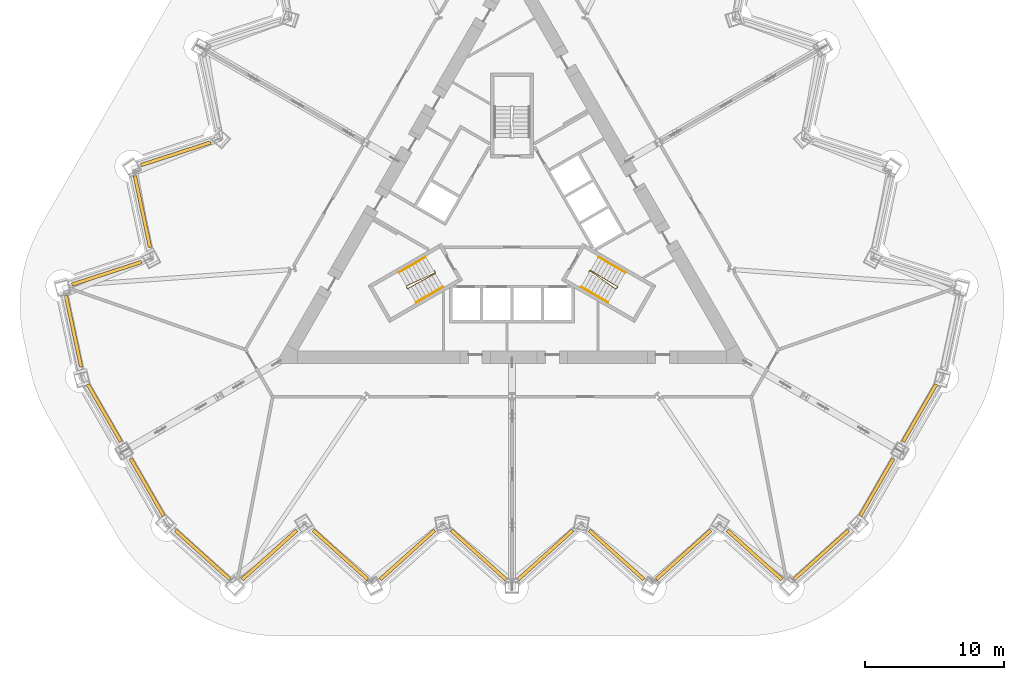
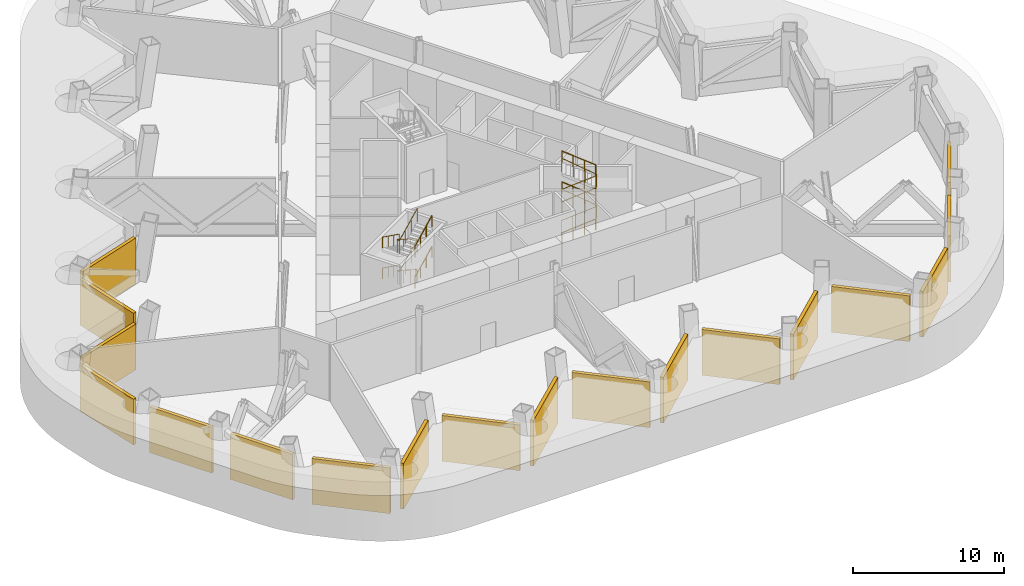
# One storey, part 13 of 14: 18 shading devices, 10 railings.
"""IFC4 building model written with IfcOpenShell, lengths in metres."""

from ifc_helpers import new_model, si_unit, direction, frame, origin, origin_2d, place, context, subcontext, project, spatial, rectangle, circle, extrude, material, layer, layer_set, type_object, element, save


model = new_model("IFC4")

# Units and contexts
model_context = context("Model", 3, precision=1e-05, world=origin(), true_north=direction((0.0, 1.0)))
body_context = subcontext(model_context, "Body", "Model", "MODEL_VIEW")
ifc_project = project(units=[si_unit("LENGTHUNIT", "METRE"), si_unit("AREAUNIT", "SQUARE_METRE"), si_unit("VOLUMEUNIT", "CUBIC_METRE"), si_unit("PLANEANGLEUNIT", "RADIAN"), si_unit("MASSUNIT", "GRAM", prefix="KILO")], contexts=[model_context])

# Site, building, storey
site_placement = place(None, origin())
site = spatial("IfcSite", under=ifc_project, at=site_placement, CompositionType="ELEMENT")
building_placement = place(site_placement, origin())
building = spatial("IfcBuilding", under=site, at=building_placement, Name="Cormorant Prow Tower", CompositionType="ELEMENT")
storey_placement = place(building_placement, frame((0.0, 0.0, 94.60009765625)))
storey = spatial("IfcBuildingStorey", under=building, at=storey_placement, Name="L19", CompositionType="ELEMENT", Elevation=94.60009765625)

# Shading devices
ifc_material_1 = material(Name="Aluminium 6063-T6", Category="aluminium")
ifc_layer_1 = layer(ifc_material_1, 0.25)
ifc_layer_set_1 = layer_set([ifc_layer_1], Name="Aluminium 6063-T6")
shading_device_type_1 = type_object("IfcShadingDeviceType", Name="Plant storey louvre panel 4764x250x3700", PredefinedType="USERDEFINED", material=ifc_layer_set_1)
for number, where, z_axis, x_axis, name in (
    (1, (26.264404296875, -18.725830078125, 0.0), (0.0, 0.0, 1.0), (0.499999898986, 0.866025462105, 0.0), "Plant storey louvre ESE00"),
    (2, (29.349365234375, -13.3828125, 0.0), (0.0, 0.0, 1.0), (0.500000020541, 0.866025391925, 0.0), "Plant storey louvre ESE01"),
    (3, (-29.349365234375, -13.3828125, 0.0), (0.0, 0.0, 1.0), (0.500000020541, -0.866025391925, 0.0), "Plant storey louvre WSW00"),
    (4, (-26.264404296875, -18.725830078125, 0.0), (0.0, 0.0, 1.0), (0.499999898986, -0.866025462105, 0.0), "Plant storey louvre WSW01"),
):
    element("IfcShadingDevice", number, at=place(storey_placement, frame(where, z_axis=z_axis, x_axis=x_axis)), inside=storey, type_object=shading_device_type_1, Name=name, ObjectType="LOUVRE", PredefinedType="USERDEFINED", context=body_context, shape_type="SweptSolid", body=[
        extrude(rectangle(XDim=4.763671875, YDim=0.25, at=origin_2d()), origin(), (0.0, 0.0, 1.0), 3.699951171875),
    ])
ifc_material_2 = material(Name="Aluminium 6063-T6", Category="aluminium")
ifc_layer_2 = layer(ifc_material_2, 0.25)
ifc_layer_set_2 = layer_set([ifc_layer_2], Name="Aluminium 6063-T6")
shading_device_type_2 = type_object("IfcShadingDeviceType", Name="Plant storey louvre panel 5277x250x3700", PredefinedType="USERDEFINED", material=ifc_layer_set_2)
for number, where, z_axis, x_axis, name in (
    (5, (-22.263671875, -23.602783203125, 0.0), (0.0, 0.0, 1.0), (0.743144871012, -0.669130555788, 0.0), "Plant storey louvre S00"),
    (6, (-17.46484375, -23.602783203125, 0.0), (0.0, 0.0, 1.0), (0.743144804001, 0.669130630211, 0.0), "Plant storey louvre S01"),
    (7, (-12.33154296875, -23.602783203125, 0.0), (0.0, 0.0, 1.0), (0.743144804001, -0.669130630211, 0.0), "Plant storey louvre S02"),
    (8, (-7.53271484375, -23.602783203125, 0.0), (0.0, 0.0, 1.0), (0.743144804001, 0.669130630211, 0.0), "Plant storey louvre S03"),
    (9, (-2.3994140625, -23.602783203125, 0.0), (0.0, 0.0, 1.0), (0.743144804001, -0.669130630211, 0.0), "Plant storey louvre S04"),
    (10, (2.3994140625, -23.602783203125, 0.0), (0.0, 0.0, 1.0), (0.743144804001, 0.669130630211, 0.0), "Plant storey louvre S05"),
    (11, (7.53271484375, -23.602783203125, 0.0), (0.0, 0.0, 1.0), (0.743144804001, -0.669130630211, 0.0), "Plant storey louvre S06"),
    (12, (12.33154296875, -23.602783203125, 0.0), (0.0, 0.0, 1.0), (0.743144804001, 0.669130630211, 0.0), "Plant storey louvre S07"),
    (13, (17.46484375, -23.602783203125, 0.0), (0.0, 0.0, 1.0), (0.743144804001, -0.669130630211, 0.0), "Plant storey louvre S08"),
    (14, (22.263671875, -23.602783203125, 0.0), (0.0, 0.0, 1.0), (0.743144871012, 0.669130555788, 0.0), "Plant storey louvre S09"),
    (15, (-24.20703125, 5.27783203125, 0.0), (0.0, 0.0, 1.0), (-0.951056529897, -0.309016952512, 0.0), "Plant storey louvre WNW06"),
    (16, (-26.6064453125, 1.1220703125, 0.0), (0.0, 0.0, 1.0), (0.207911740719, -0.978147590127, 0.0), "Plant storey louvre WNW07"),
    (17, (-29.173095703125, -3.32373046875, 0.0), (0.0, 0.0, 1.0), (-0.951056529897, -0.309016952512, 0.0), "Plant storey louvre WNW08"),
    (18, (-31.572509765625, -7.4794921875, 0.0), (0.0, 0.0, 1.0), (0.207911740719, -0.978147590127, 0.0), "Plant storey louvre WNW09"),
):
    element("IfcShadingDevice", number, at=place(storey_placement, frame(where, z_axis=z_axis, x_axis=x_axis)), inside=storey, type_object=shading_device_type_2, Name=name, ObjectType="LOUVRE", PredefinedType="USERDEFINED", context=body_context, shape_type="SweptSolid", body=[
        extrude(rectangle(XDim=5.276611328125, YDim=0.25, at=origin_2d()), origin(), (0.0, 0.0, 1.0), 3.699951171875),
    ])

# Railings
ifc_material_3 = material(Name="Stainless steel", Category="steel")
railing_type_1 = type_object("IfcRailingType", Name="Stair guard 1100", PredefinedType="GUARDRAIL", material=ifc_material_3)
railing_1_placement = place(storey_placement, frame((-5.585205078125, -3.137939453125, 0.0)))
element("IfcRailing", 19, at=railing_1_placement, inside=storey, type_object=railing_type_1, Name="L19 ST1 stair guard 1", PredefinedType="GUARDRAIL", context=body_context, shape_type="SweptSolid", body=[
    extrude(circle(Radius=0.02392578125, at=origin_2d()), frame((0.0, 0.0, 1.076171875), z_axis=(0.501036270542, -0.865426285481, 0.0), x_axis=(0.865426285481, 0.501036270542, 0.0)), (0.0, 0.0, 1.0), 0.150146484375),
    extrude(circle(Radius=0.02392578125, at=origin_2d()), frame((0.0751953125, -0.1298828125, 1.076171875), z_axis=(-0.796139674623, -0.37143232681, 0.477702465026), x_axis=(0.422792438952, -0.906226546491, 0.0)), (0.0, 0.0, 1.0), 2.61669921875),
    extrude(circle(Radius=0.02392578125, at=origin_2d()), frame((-2.008056640625, -1.101806640625, 2.326171875), z_axis=(0.275034262293, -0.961434425515, 0.0), x_axis=(0.961434425515, 0.275034262293, 0.0)), (0.0, 0.0, 1.0), 0.2060546875),
    extrude(circle(Radius=0.02392578125, at=origin_2d()), frame((-1.951416015625, -1.2998046875, 2.326171875), z_axis=(0.76962706216, 0.422144092447, 0.479028757386), x_axis=(-0.480911908544, 0.87676891837, 0.0)), (0.0, 0.0, 1.0), 2.609375),
    extrude(circle(Radius=0.02392578125, at=origin_2d()), frame((0.056884765625, -0.1982421875, 3.576171875), z_axis=(0.258736085224, 0.965948051503, 0.0), x_axis=(-0.965948051503, 0.258736085224, 0.0)), (0.0, 0.0, 1.0), 0.07080078125),
    extrude(circle(Radius=0.02392578125, at=origin_2d()), frame((0.0751953125, -0.1298828125, 3.576171875), z_axis=(-0.796139674623, -0.37143232681, 0.477702465026), x_axis=(0.422792438952, -0.906226546491, 0.0)), (0.0, 0.0, 1.0), 2.61669921875),
    extrude(circle(Radius=0.02392578125, at=origin_2d()), frame((-2.008056640625, -1.101806640625, 4.826171875), z_axis=(0.275034262293, -0.961434425515, 0.0), x_axis=(0.961434425515, 0.275034262293, 0.0)), (0.0, 0.0, 1.0), 0.2060546875),
    extrude(circle(Radius=0.02392578125, at=origin_2d()), frame((-1.951416015625, -1.2998046875, 4.826171875), z_axis=(0.76962706216, 0.422144092447, 0.479028757386), x_axis=(-0.480911908544, 0.87676891837, 0.0)), (0.0, 0.0, 1.0), 2.609375),
    extrude(circle(Radius=0.02099609375, at=origin_2d()), origin(), (0.0, 0.0, 1.0), 1.052001953125),
    extrude(circle(Radius=0.02099609375, at=origin_2d()), frame((0.0751953125, -0.1298828125, 0.0)), (0.0, 0.0, 1.0), 1.052001953125),
    extrude(circle(Radius=0.02099609375, at=origin_2d()), frame((-0.619140625, -0.453857421875, 0.416748046875)), (0.0, 0.0, 1.0), 1.052001953125),
    extrude(circle(Radius=0.02099609375, at=origin_2d()), frame((-1.313720703125, -0.77783203125, 0.833251953125)), (0.0, 0.0, 1.0), 1.052001953125),
    extrude(circle(Radius=0.02099609375, at=origin_2d()), frame((-2.008056640625, -1.101806640625, 1.25)), (0.0, 0.0, 1.0), 1.052001953125),
    extrude(circle(Radius=0.02099609375, at=origin_2d()), frame((-1.951416015625, -1.2998046875, 1.25)), (0.0, 0.0, 1.0), 1.052001953125),
    extrude(circle(Radius=0.02099609375, at=origin_2d()), frame((-1.281982421875, -0.9326171875, 1.666748046875)), (0.0, 0.0, 1.0), 1.052001953125),
    extrude(circle(Radius=0.02099609375, at=origin_2d()), frame((-0.612548828125, -0.5654296875, 2.083251953125)), (0.0, 0.0, 1.0), 1.052001953125),
    extrude(circle(Radius=0.02099609375, at=origin_2d()), frame((0.056884765625, -0.1982421875, 2.5)), (0.0, 0.0, 1.0), 1.052001953125),
    extrude(circle(Radius=0.02099609375, at=origin_2d()), frame((0.0751953125, -0.1298828125, 2.5)), (0.0, 0.0, 1.0), 1.052001953125),
    extrude(circle(Radius=0.02099609375, at=origin_2d()), frame((-0.619140625, -0.453857421875, 2.916748046875)), (0.0, 0.0, 1.0), 1.052001953125),
    extrude(circle(Radius=0.02099609375, at=origin_2d()), frame((-1.313720703125, -0.77783203125, 3.333251953125)), (0.0, 0.0, 1.0), 1.052001953125),
    extrude(circle(Radius=0.02099609375, at=origin_2d()), frame((-2.008056640625, -1.101806640625, 3.75)), (0.0, 0.0, 1.0), 1.052001953125),
    extrude(circle(Radius=0.02099609375, at=origin_2d()), frame((-1.951416015625, -1.2998046875, 3.75)), (0.0, 0.0, 1.0), 1.052001953125),
    extrude(circle(Radius=0.02099609375, at=origin_2d()), frame((-1.281982421875, -0.9326171875, 4.166748046875)), (0.0, 0.0, 1.0), 1.052001953125),
    extrude(circle(Radius=0.02099609375, at=origin_2d()), frame((-0.612548828125, -0.5654296875, 4.583251953125)), (0.0, 0.0, 1.0), 1.052001953125),
    extrude(circle(Radius=0.02099609375, at=origin_2d()), frame((0.056884765625, -0.1982421875, 5.0)), (0.0, 0.0, 1.0), 1.052001953125),
])
railing_2_placement = place(storey_placement, frame((5.510009765625, -3.267822265625, 0.0)))
element("IfcRailing", 20, at=railing_2_placement, inside=storey, type_object=railing_type_1, Name="L19 ST2 stair guard 1", PredefinedType="GUARDRAIL", context=body_context, shape_type="SweptSolid", body=[
    extrude(circle(Radius=0.02392578125, at=origin_2d()), frame((0.0, 0.0, 1.076171875), z_axis=(0.501036270542, 0.865426285481, 0.0), x_axis=(-0.865426285481, 0.501036270542, 0.0)), (0.0, 0.0, 1.0), 0.150146484375),
    extrude(circle(Radius=0.02392578125, at=origin_2d()), frame((0.0751953125, 0.1298828125, 1.076171875), z_axis=(0.719698049427, -0.503779303625, 0.477745885267), x_axis=(0.573455215813, 0.819236910458, 0.0)), (0.0, 0.0, 1.0), 2.616455078125),
    extrude(circle(Radius=0.02392578125, at=origin_2d()), frame((1.958251953125, -1.188232421875, 2.326171875), z_axis=(0.695164929852, 0.718850276695, 0.0), x_axis=(-0.718850276695, 0.695164929852, 0.0)), (0.0, 0.0, 1.0), 0.2060546875),
    extrude(circle(Radius=0.02392578125, at=origin_2d()), frame((2.1015625, -1.0400390625, 2.326171875), z_axis=(-0.750450779969, 0.45536017281, 0.479031042693), x_axis=(-0.518752825935, -0.854924268918, 0.0)), (0.0, 0.0, 1.0), 2.609375),
    extrude(circle(Radius=0.02392578125, at=origin_2d()), frame((0.143310546875, 0.148193359375, 3.576171875), z_axis=(-0.965715946433, -0.259601060869, 0.0), x_axis=(0.259601060869, -0.965715946433, 0.0)), (0.0, 0.0, 1.0), 0.070556640625),
    extrude(circle(Radius=0.02392578125, at=origin_2d()), frame((0.0751953125, 0.1298828125, 3.576171875), z_axis=(0.719698049427, -0.503779303625, 0.477745885267), x_axis=(0.573455215813, 0.819236910458, 0.0)), (0.0, 0.0, 1.0), 2.616455078125),
    extrude(circle(Radius=0.02392578125, at=origin_2d()), frame((1.958251953125, -1.188232421875, 4.826171875), z_axis=(0.695164929852, 0.718850276695, 0.0), x_axis=(-0.718850276695, 0.695164929852, 0.0)), (0.0, 0.0, 1.0), 0.2060546875),
    extrude(circle(Radius=0.02392578125, at=origin_2d()), frame((2.1015625, -1.0400390625, 4.826171875), z_axis=(-0.750450779969, 0.45536017281, 0.479031042693), x_axis=(-0.518752825935, -0.854924268918, 0.0)), (0.0, 0.0, 1.0), 2.609375),
    extrude(circle(Radius=0.02099609375, at=origin_2d()), origin(), (0.0, 0.0, 1.0), 1.052001953125),
    extrude(circle(Radius=0.02099609375, at=origin_2d()), frame((0.0751953125, 0.1298828125, 0.0)), (0.0, 0.0, 1.0), 1.052001953125),
    extrude(circle(Radius=0.02099609375, at=origin_2d()), frame((0.702880859375, -0.3095703125, 0.416748046875)), (0.0, 0.0, 1.0), 1.052001953125),
    extrude(circle(Radius=0.02099609375, at=origin_2d()), frame((1.33056640625, -0.748779296875, 0.833251953125)), (0.0, 0.0, 1.0), 1.052001953125),
    extrude(circle(Radius=0.02099609375, at=origin_2d()), frame((1.958251953125, -1.188232421875, 1.25)), (0.0, 0.0, 1.0), 1.052001953125),
    extrude(circle(Radius=0.02099609375, at=origin_2d()), frame((2.1015625, -1.0400390625, 1.25)), (0.0, 0.0, 1.0), 1.052001953125),
    extrude(circle(Radius=0.02099609375, at=origin_2d()), frame((1.44873046875, -0.64404296875, 1.666748046875)), (0.0, 0.0, 1.0), 1.052001953125),
    extrude(circle(Radius=0.02099609375, at=origin_2d()), frame((0.796142578125, -0.247802734375, 2.083251953125)), (0.0, 0.0, 1.0), 1.052001953125),
    extrude(circle(Radius=0.02099609375, at=origin_2d()), frame((0.143310546875, 0.148193359375, 2.5)), (0.0, 0.0, 1.0), 1.052001953125),
    extrude(circle(Radius=0.02099609375, at=origin_2d()), frame((0.0751953125, 0.1298828125, 2.5)), (0.0, 0.0, 1.0), 1.052001953125),
    extrude(circle(Radius=0.02099609375, at=origin_2d()), frame((0.702880859375, -0.3095703125, 2.916748046875)), (0.0, 0.0, 1.0), 1.052001953125),
    extrude(circle(Radius=0.02099609375, at=origin_2d()), frame((1.33056640625, -0.748779296875, 3.333251953125)), (0.0, 0.0, 1.0), 1.052001953125),
    extrude(circle(Radius=0.02099609375, at=origin_2d()), frame((1.958251953125, -1.188232421875, 3.75)), (0.0, 0.0, 1.0), 1.052001953125),
    extrude(circle(Radius=0.02099609375, at=origin_2d()), frame((2.1015625, -1.0400390625, 3.75)), (0.0, 0.0, 1.0), 1.052001953125),
    extrude(circle(Radius=0.02099609375, at=origin_2d()), frame((1.44873046875, -0.64404296875, 4.166748046875)), (0.0, 0.0, 1.0), 1.052001953125),
    extrude(circle(Radius=0.02099609375, at=origin_2d()), frame((0.796142578125, -0.247802734375, 4.583251953125)), (0.0, 0.0, 1.0), 1.052001953125),
    extrude(circle(Radius=0.02099609375, at=origin_2d()), frame((0.143310546875, 0.148193359375, 5.0)), (0.0, 0.0, 1.0), 1.052001953125),
])
ifc_material_4 = material(Name="Stainless steel", Category="steel")
railing_type_2 = type_object("IfcRailingType", Name="Stair handrail 900", PredefinedType="HANDRAIL", material=ifc_material_4)
railing_3_placement = place(storey_placement, frame((-6.212890625, -2.150634765625, 0.138671875)))
element("IfcRailing", 21, at=railing_3_placement, inside=storey, type_object=railing_type_2, Name="L19 ST1 stair handrail 1", PredefinedType="HANDRAIL", context=body_context, shape_type="SweptSolid", body=[
    extrude(circle(Radius=0.02392578125, at=origin_2d()), frame((0.0, 0.0, 0.8759765625), z_axis=(-0.77581902503, -0.447858276845, 0.444441002005), x_axis=(0.49994888933, -0.866054910533, 0.0)), (0.0, 0.0, 1.0), 2.50048828125),
    extrude(circle(Radius=0.02099609375, at=origin_2d()), origin(), (0.0, 0.0, 1.0), 0.851806640625),
    extrude(circle(Radius=0.02099609375, at=origin_2d()), frame((-0.646728515625, -0.373291015625, 0.370361328125)), (0.0, 0.0, 1.0), 0.851806640625),
    extrude(circle(Radius=0.02099609375, at=origin_2d()), frame((-1.293212890625, -0.74658203125, 0.740966796875)), (0.0, 0.0, 1.0), 0.851806640625),
    extrude(circle(Radius=0.02099609375, at=origin_2d()), frame((-1.93994140625, -1.119873046875, 1.111328125)), (0.0, 0.0, 1.0), 0.851806640625),
])
railing_4_placement = place(storey_placement, frame((-6.90869140625, -5.42529296875, 1.388671875)))
element("IfcRailing", 22, at=railing_4_placement, inside=storey, type_object=railing_type_2, Name="L19 ST1 stair handrail 2", PredefinedType="HANDRAIL", context=body_context, shape_type="SweptSolid", body=[
    extrude(circle(Radius=0.02392578125, at=origin_2d()), frame((0.0, 0.0, 0.8759765625), z_axis=(0.775746221712, 0.447970253645, 0.444455229859), x_axis=(-0.500077830873, 0.865980463445, 0.0)), (0.0, 0.0, 1.0), 2.50048828125),
    extrude(circle(Radius=0.02099609375, at=origin_2d()), origin(), (0.0, 0.0, 1.0), 0.851806640625),
    extrude(circle(Radius=0.02099609375, at=origin_2d()), frame((0.646484375, 0.373291015625, 0.370361328125)), (0.0, 0.0, 1.0), 0.851806640625),
    extrude(circle(Radius=0.02099609375, at=origin_2d()), frame((1.293212890625, 0.746826171875, 0.740966796875)), (0.0, 0.0, 1.0), 0.851806640625),
    extrude(circle(Radius=0.02099609375, at=origin_2d()), frame((1.939697265625, 1.1201171875, 1.111328125)), (0.0, 0.0, 1.0), 0.851806640625),
])
railing_5_placement = place(storey_placement, frame((-6.212890625, -2.150634765625, 2.638671875)))
element("IfcRailing", 23, at=railing_5_placement, inside=storey, type_object=railing_type_2, Name="L19 ST1 stair handrail 3", PredefinedType="HANDRAIL", context=body_context, shape_type="SweptSolid", body=[
    extrude(circle(Radius=0.02392578125, at=origin_2d()), frame((0.0, 0.0, 0.8759765625), z_axis=(-0.77581902503, -0.447858276845, 0.444441002005), x_axis=(0.49994888933, -0.866054910533, 0.0)), (0.0, 0.0, 1.0), 2.50048828125),
    extrude(circle(Radius=0.02099609375, at=origin_2d()), origin(), (0.0, 0.0, 1.0), 0.851806640625),
    extrude(circle(Radius=0.02099609375, at=origin_2d()), frame((-0.646728515625, -0.373291015625, 0.370361328125)), (0.0, 0.0, 1.0), 0.851806640625),
    extrude(circle(Radius=0.02099609375, at=origin_2d()), frame((-1.293212890625, -0.74658203125, 0.740966796875)), (0.0, 0.0, 1.0), 0.851806640625),
    extrude(circle(Radius=0.02099609375, at=origin_2d()), frame((-1.93994140625, -1.119873046875, 1.111328125)), (0.0, 0.0, 1.0), 0.851806640625),
])
railing_6_placement = place(storey_placement, frame((-6.90869140625, -5.42529296875, 3.888671875)))
element("IfcRailing", 24, at=railing_6_placement, inside=storey, type_object=railing_type_2, Name="L19 ST1 stair handrail 4", PredefinedType="HANDRAIL", context=body_context, shape_type="SweptSolid", body=[
    extrude(circle(Radius=0.02392578125, at=origin_2d()), frame((0.0, 0.0, 0.8759765625), z_axis=(0.775746221712, 0.447970253645, 0.444455229859), x_axis=(-0.500077830873, 0.865980463445, 0.0)), (0.0, 0.0, 1.0), 2.50048828125),
    extrude(circle(Radius=0.02099609375, at=origin_2d()), origin(), (0.0, 0.0, 1.0), 0.851806640625),
    extrude(circle(Radius=0.02099609375, at=origin_2d()), frame((0.646484375, 0.373291015625, 0.370361328125)), (0.0, 0.0, 1.0), 0.851806640625),
    extrude(circle(Radius=0.02099609375, at=origin_2d()), frame((1.293212890625, 0.746826171875, 0.740966796875)), (0.0, 0.0, 1.0), 0.851806640625),
    extrude(circle(Radius=0.02099609375, at=origin_2d()), frame((1.939697265625, 1.1201171875, 1.111328125)), (0.0, 0.0, 1.0), 0.851806640625),
])
railing_7_placement = place(storey_placement, frame((4.968994140625, -4.30517578125, 0.138671875)))
element("IfcRailing", 25, at=railing_7_placement, inside=storey, type_object=railing_type_2, Name="L19 ST2 stair handrail 1", PredefinedType="HANDRAIL", context=body_context, shape_type="SweptSolid", body=[
    extrude(circle(Radius=0.02392578125, at=origin_2d()), frame((0.0, 0.0, 0.8759765625), z_axis=(0.775746221712, -0.447970253645, 0.444455229859), x_axis=(0.500077830873, 0.865980463445, 0.0)), (0.0, 0.0, 1.0), 2.50048828125),
    extrude(circle(Radius=0.02099609375, at=origin_2d()), origin(), (0.0, 0.0, 1.0), 0.851806640625),
    extrude(circle(Radius=0.02099609375, at=origin_2d()), frame((0.646484375, -0.373291015625, 0.370361328125)), (0.0, 0.0, 1.0), 0.851806640625),
    extrude(circle(Radius=0.02099609375, at=origin_2d()), frame((1.293212890625, -0.746826171875, 0.740966796875)), (0.0, 0.0, 1.0), 0.851806640625),
    extrude(circle(Radius=0.02099609375, at=origin_2d()), frame((1.939697265625, -1.1201171875, 1.111328125)), (0.0, 0.0, 1.0), 0.851806640625),
])
railing_8_placement = place(storey_placement, frame((8.15283203125, -3.2705078125, 1.388671875)))
element("IfcRailing", 26, at=railing_8_placement, inside=storey, type_object=railing_type_2, Name="L19 ST2 stair handrail 2", PredefinedType="HANDRAIL", context=body_context, shape_type="SweptSolid", body=[
    extrude(circle(Radius=0.02392578125, at=origin_2d()), frame((0.0, 0.0, 0.8759765625), z_axis=(-0.77581902503, 0.447858276845, 0.444441002005), x_axis=(-0.49994888933, -0.866054910533, 0.0)), (0.0, 0.0, 1.0), 2.50048828125),
    extrude(circle(Radius=0.02099609375, at=origin_2d()), origin(), (0.0, 0.0, 1.0), 0.851806640625),
    extrude(circle(Radius=0.02099609375, at=origin_2d()), frame((-0.646728515625, 0.373291015625, 0.370361328125)), (0.0, 0.0, 1.0), 0.851806640625),
    extrude(circle(Radius=0.02099609375, at=origin_2d()), frame((-1.293212890625, 0.74658203125, 0.740966796875)), (0.0, 0.0, 1.0), 0.851806640625),
    extrude(circle(Radius=0.02099609375, at=origin_2d()), frame((-1.93994140625, 1.119873046875, 1.111328125)), (0.0, 0.0, 1.0), 0.851806640625),
])
railing_9_placement = place(storey_placement, frame((4.968994140625, -4.30517578125, 2.638671875)))
element("IfcRailing", 27, at=railing_9_placement, inside=storey, type_object=railing_type_2, Name="L19 ST2 stair handrail 3", PredefinedType="HANDRAIL", context=body_context, shape_type="SweptSolid", body=[
    extrude(circle(Radius=0.02392578125, at=origin_2d()), frame((0.0, 0.0, 0.8759765625), z_axis=(0.775746221712, -0.447970253645, 0.444455229859), x_axis=(0.500077830873, 0.865980463445, 0.0)), (0.0, 0.0, 1.0), 2.50048828125),
    extrude(circle(Radius=0.02099609375, at=origin_2d()), origin(), (0.0, 0.0, 1.0), 0.851806640625),
    extrude(circle(Radius=0.02099609375, at=origin_2d()), frame((0.646484375, -0.373291015625, 0.370361328125)), (0.0, 0.0, 1.0), 0.851806640625),
    extrude(circle(Radius=0.02099609375, at=origin_2d()), frame((1.293212890625, -0.746826171875, 0.740966796875)), (0.0, 0.0, 1.0), 0.851806640625),
    extrude(circle(Radius=0.02099609375, at=origin_2d()), frame((1.939697265625, -1.1201171875, 1.111328125)), (0.0, 0.0, 1.0), 0.851806640625),
])
railing_10_placement = place(storey_placement, frame((8.15283203125, -3.2705078125, 3.888671875)))
element("IfcRailing", 28, at=railing_10_placement, inside=storey, type_object=railing_type_2, Name="L19 ST2 stair handrail 4", PredefinedType="HANDRAIL", context=body_context, shape_type="SweptSolid", body=[
    extrude(circle(Radius=0.02392578125, at=origin_2d()), frame((0.0, 0.0, 0.8759765625), z_axis=(-0.77581902503, 0.447858276845, 0.444441002005), x_axis=(-0.49994888933, -0.866054910533, 0.0)), (0.0, 0.0, 1.0), 2.50048828125),
    extrude(circle(Radius=0.02099609375, at=origin_2d()), origin(), (0.0, 0.0, 1.0), 0.851806640625),
    extrude(circle(Radius=0.02099609375, at=origin_2d()), frame((-0.646728515625, 0.373291015625, 0.370361328125)), (0.0, 0.0, 1.0), 0.851806640625),
    extrude(circle(Radius=0.02099609375, at=origin_2d()), frame((-1.293212890625, 0.74658203125, 0.740966796875)), (0.0, 0.0, 1.0), 0.851806640625),
    extrude(circle(Radius=0.02099609375, at=origin_2d()), frame((-1.93994140625, 1.119873046875, 1.111328125)), (0.0, 0.0, 1.0), 0.851806640625),
])

save(model, "model.ifc")
